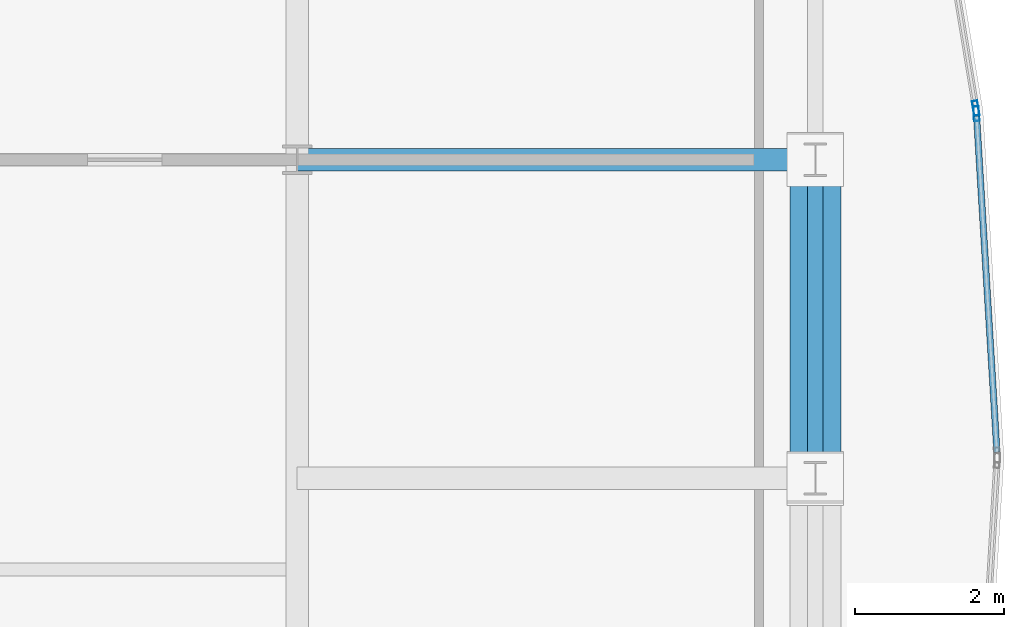
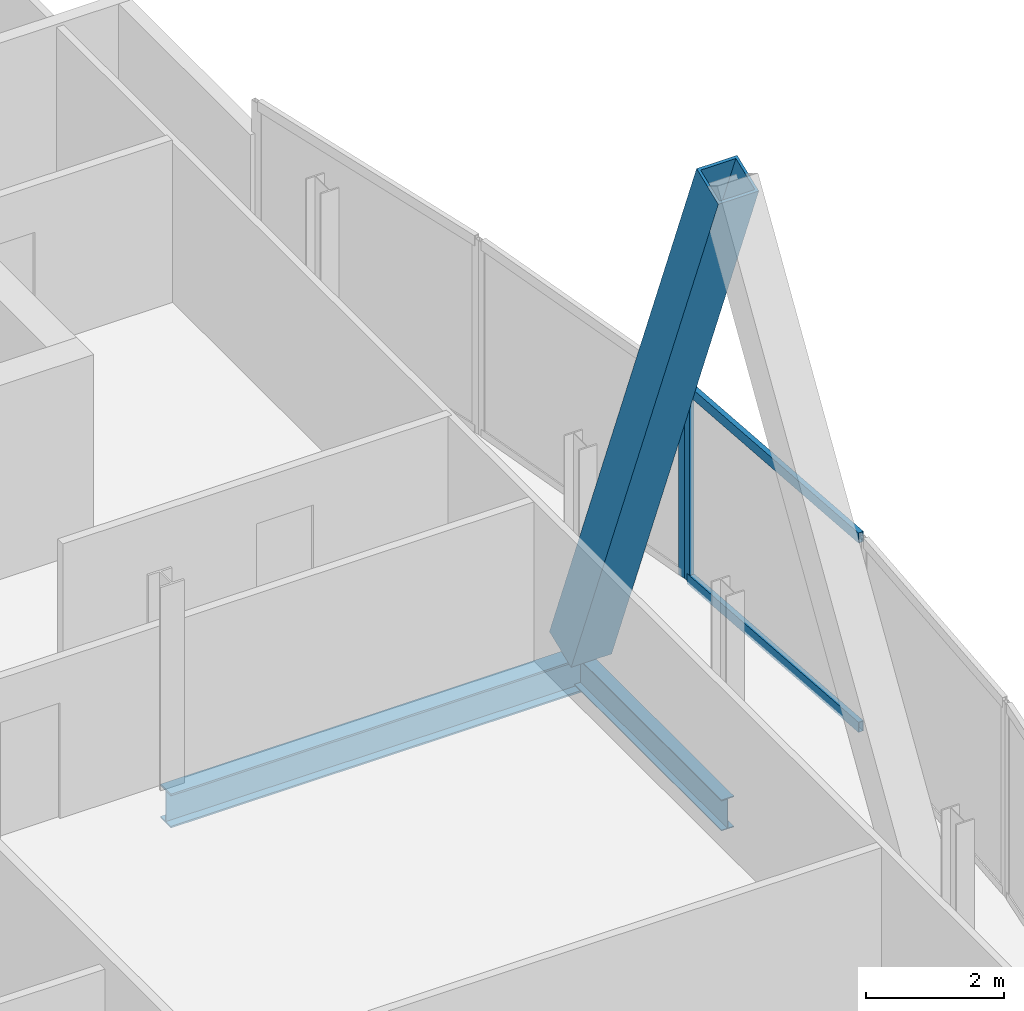
# One storey, part 20 of 31: 5 members, 2 beams, 2 elements without a shape of their own.
"""IFC4 building model written with IfcOpenShell, lengths in metres."""

from ifc_helpers import new_model, si_unit, direction, frame, origin, origin_2d, place, context, subcontext, project, spatial, hollow_rectangle, i_section, extrude, material, material_profile, profile_set, type_object, element, aggregate, save


model = new_model("IFC4")

# Units and contexts
model_context = context("Model", 3, precision=1e-05, world=origin(), true_north=direction((0.0, 1.0)))
body_context = subcontext(model_context, "Body", "Model", "MODEL_VIEW")
ifc_project = project(units=[si_unit("LENGTHUNIT", "METRE"), si_unit("AREAUNIT", "SQUARE_METRE"), si_unit("VOLUMEUNIT", "CUBIC_METRE"), si_unit("PLANEANGLEUNIT", "RADIAN"), si_unit("MASSUNIT", "GRAM", prefix="KILO")], contexts=[model_context])

# Site, building, storey
site_placement = place(None, origin())
site = spatial("IfcSite", under=ifc_project, at=site_placement, CompositionType="ELEMENT")
building_placement = place(site_placement, origin())
building = spatial("IfcBuilding", under=site, at=building_placement, Name="Khoronbel Lancet Exchange", CompositionType="ELEMENT")
storey_placement = place(building_placement, frame((0.0, 0.0, 325.39990234375)))
storey = spatial("IfcBuildingStorey", under=building, at=storey_placement, Name="L84", CompositionType="ELEMENT", Elevation=325.39990234375)

# Beams
ifc_material_1 = material(Name="Steel S355", Category="steel")
ifc_material_profile_1 = material_profile(ifc_material_1, i_section(OverallWidth=0.300048828125, OverallDepth=0.60009765625, WebThickness=0.015380859375, FlangeThickness=0.030029296875, at=origin_2d()), Name="HEB 600")
ifc_profile_set_1 = profile_set([ifc_material_profile_1], Name="Steel S355")
beam_type_1 = type_object("IfcBeamType", Name="BM-BG5", PredefinedType="BEAM", material=ifc_profile_set_1)
beam_1_placement = place(storey_placement, frame((54.675048828125, 35.699951171875, -0.4599609375), z_axis=(1.0, 0.0, 0.0), x_axis=(0.0, 1.0, 0.0)))
element("IfcBeam", 1, at=beam_1_placement, inside=storey, type_object=beam_type_1, Name="Level L84 east lens tie girder LG4E", PredefinedType="BEAM", context=body_context, shape_type="SweptSolid", body=[
    extrude(i_section(OverallWidth=0.300048828125, OverallDepth=0.60009765625, WebThickness=0.015380859375, FlangeThickness=0.030029296875, at=origin_2d()), origin(), (0.0, 0.0, 1.0), 6.954833984375),
])
ifc_material_profile_2 = material_profile(ifc_material_1, i_section(OverallWidth=0.2099609375, OverallDepth=0.550048828125, WebThickness=0.010986328125, FlangeThickness=0.01708984375, at=origin_2d()), Name="IPE 550")
ifc_profile_set_2 = profile_set([ifc_material_profile_2], Name="Steel S355")
beam_type_2 = type_object("IfcBeamType", Name="BM-BSP3", PredefinedType="SPANDREL", material=ifc_profile_set_2)
beam_2_placement = place(storey_placement, frame((61.6298828125, 31.425048828125, -0.434814453125), z_axis=(0.0, 1.0, 0.0), x_axis=(-1.0, 0.0, 0.0)))
element("IfcBeam", 2, at=beam_2_placement, inside=storey, type_object=beam_type_2, Name="Level L84 perimeter spandrel beam SP11", PredefinedType="SPANDREL", context=body_context, shape_type="SweptSolid", body=[
    extrude(i_section(OverallWidth=0.2099609375, OverallDepth=0.550048828125, WebThickness=0.010986328125, FlangeThickness=0.01708984375, at=origin_2d()), origin(), (0.0, 0.0, 1.0), 4.27490234375),
])

# Curtain wall, member
ifc_material_2 = material(Name="Low-E Solar Control Insulating Glass", Category="glass")
curtain_wall_type = type_object("IfcCurtainWallType", Name="CW-4", PredefinedType="NOTDEFINED", material=ifc_material_2)
curtain_wall_1_placement = place(storey_placement, origin())
curtain_wall_1 = element("IfcCurtainWall", 3, at=curtain_wall_1_placement, inside=storey, type_object=curtain_wall_type, Name="Unitised curtain wall CW-L84-E18", PredefinedType="NOTDEFINED")
ifc_material_3 = material(Name="Bronze-Anodised Aluminium 6063-T6", Category="aluminium")
ifc_material_profile_3 = material_profile(ifc_material_3, hollow_rectangle(XDim=0.074951171875, YDim=0.199951171875, WallThickness=0.0048828125, at=origin_2d()), Name="ALU MULLION 75x200")
ifc_profile_set_3 = profile_set([ifc_material_profile_3], Name="Bronze-Anodised Aluminium 6063-T6")
member_type_1 = type_object("IfcMemberType", Name="MEM-CWM2", PredefinedType="MULLION", material=ifc_profile_set_3)
member_1_placement = place(storey_placement, frame((63.7822265625, 36.3935546875, 0.0), z_axis=(0.0, 0.0, 1.0), x_axis=(0.98657075141, 0.163334480321, 0.0)))
member_1 = element("IfcMember", 4, at=member_1_placement, type_object=member_type_1, Name="CW4 mullion 2", PredefinedType="MULLION", context=body_context, shape_type="SweptSolid", body=[
    extrude(hollow_rectangle(XDim=0.074951171875, YDim=0.199951171875, WallThickness=0.0048828125, at=origin_2d()), origin(), (0.0, 0.0, 1.0), 3.440185546875),
])
aggregate(curtain_wall_1, [member_1])

# Curtain wall, members
curtain_wall_2_placement = place(storey_placement, origin())
curtain_wall_2 = element("IfcCurtainWall", 5, at=curtain_wall_2_placement, inside=storey, type_object=curtain_wall_type, Name="Unitised curtain wall CW-L84-E19", PredefinedType="NOTDEFINED")
member_2_placement = place(storey_placement, frame((63.790771484375, 36.319091796875, 0.0), z_axis=(0.0, 0.0, 1.0), x_axis=(0.998168731964, 0.060491177294, 0.0)))
member_2 = element("IfcMember", 6, at=member_2_placement, type_object=member_type_1, Name="CW4 mullion 1", PredefinedType="MULLION", context=body_context, shape_type="SweptSolid", body=[
    extrude(hollow_rectangle(XDim=0.074951171875, YDim=0.199951171875, WallThickness=0.0048828125, at=origin_2d()), origin(), (0.0, 0.0, 1.0), 3.440185546875),
])
ifc_material_profile_4 = material_profile(ifc_material_3, hollow_rectangle(XDim=0.0849609375, YDim=0.179931640625, WallThickness=0.0048828125, at=origin_2d()), Name="ALU TRANSOM 85x180")
ifc_profile_set_4 = profile_set([ifc_material_profile_4], Name="Bronze-Anodised Aluminium 6063-T6")
member_type_2 = type_object("IfcMemberType", Name="MEM-CWT1", PredefinedType="USERDEFINED", material=ifc_profile_set_4)
member_3_placement = place(storey_placement, frame((63.79296875, 36.28173828125, 0.04248046875), z_axis=(0.060506488225, -0.99816780397, 0.0), x_axis=(0.99816780397, 0.060506488225, 0.0)))
member_3 = element("IfcMember", 7, at=member_3_placement, type_object=member_type_2, Name="CW4 transom 1.1", ObjectType="TRANSOM", PredefinedType="USERDEFINED", context=body_context, shape_type="SweptSolid", body=[
    extrude(hollow_rectangle(XDim=0.0849609375, YDim=0.179931640625, WallThickness=0.0048828125, at=origin_2d()), origin(), (0.0, 0.0, 1.0), 4.51513671875),
])
member_4_placement = place(storey_placement, frame((63.79296875, 36.28173828125, 3.397705078125), z_axis=(0.060506488225, -0.99816780397, 0.0), x_axis=(0.99816780397, 0.060506488225, 0.0)))
member_4 = element("IfcMember", 8, at=member_4_placement, type_object=member_type_2, Name="CW4 transom 1.2", ObjectType="TRANSOM", PredefinedType="USERDEFINED", context=body_context, shape_type="SweptSolid", body=[
    extrude(hollow_rectangle(XDim=0.0849609375, YDim=0.179931640625, WallThickness=0.0048828125, at=origin_2d()), origin(), (0.0, 0.0, 1.0), 4.51513671875),
])
aggregate(curtain_wall_2, [member_2, member_3, member_4])

# Member
ifc_material_4 = material(Name="Steel S460", Category="steel")
ifc_material_profile_5 = material_profile(ifc_material_4, hollow_rectangle(XDim=0.679931640625, YDim=0.679931640625, WallThickness=0.044921875, at=origin_2d()), Name="BOX 680x680x45")
ifc_profile_set_5 = profile_set([ifc_material_profile_5], Name="Steel S460")
member_type_3 = type_object("IfcMemberType", Name="MEM-MB3", PredefinedType="BRACE", material=ifc_profile_set_5)
member_5_placement = place(storey_placement, frame((61.6298828125, 35.699951171875, 0.0), z_axis=(0.0, -0.368039743753, 0.929810059646), x_axis=(1.0, 0.0, 0.0)))
element("IfcMember", 9, at=member_5_placement, inside=storey, type_object=member_type_3, Name="Perimeter lancet brace tier 29 E-P-R", PredefinedType="BRACE", context=body_context, shape_type="SweptSolid", body=[
    extrude(hollow_rectangle(XDim=0.679931640625, YDim=0.679931640625, WallThickness=0.044921875, at=origin_2d()), origin(), (0.0, 0.0, 1.0), 11.615234375),
])

save(model, "model.ifc")
